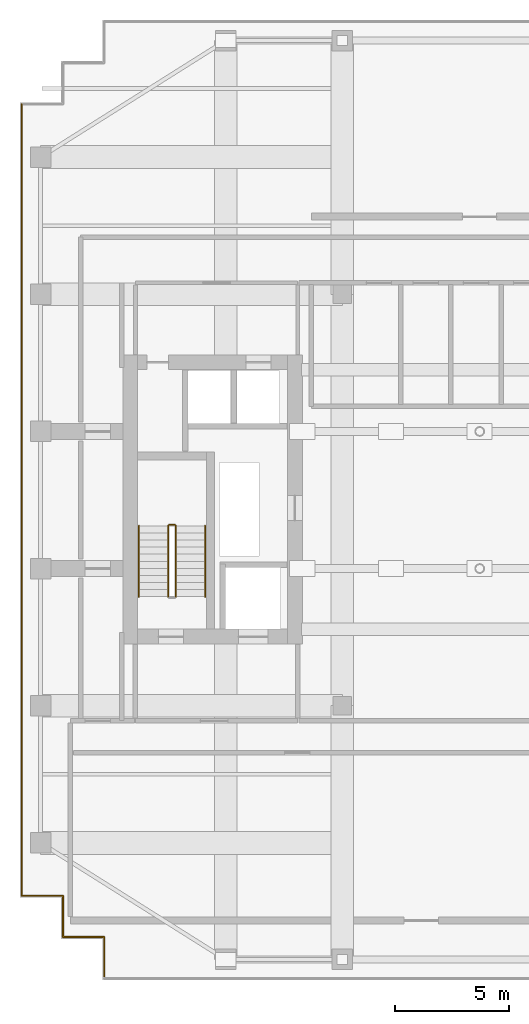
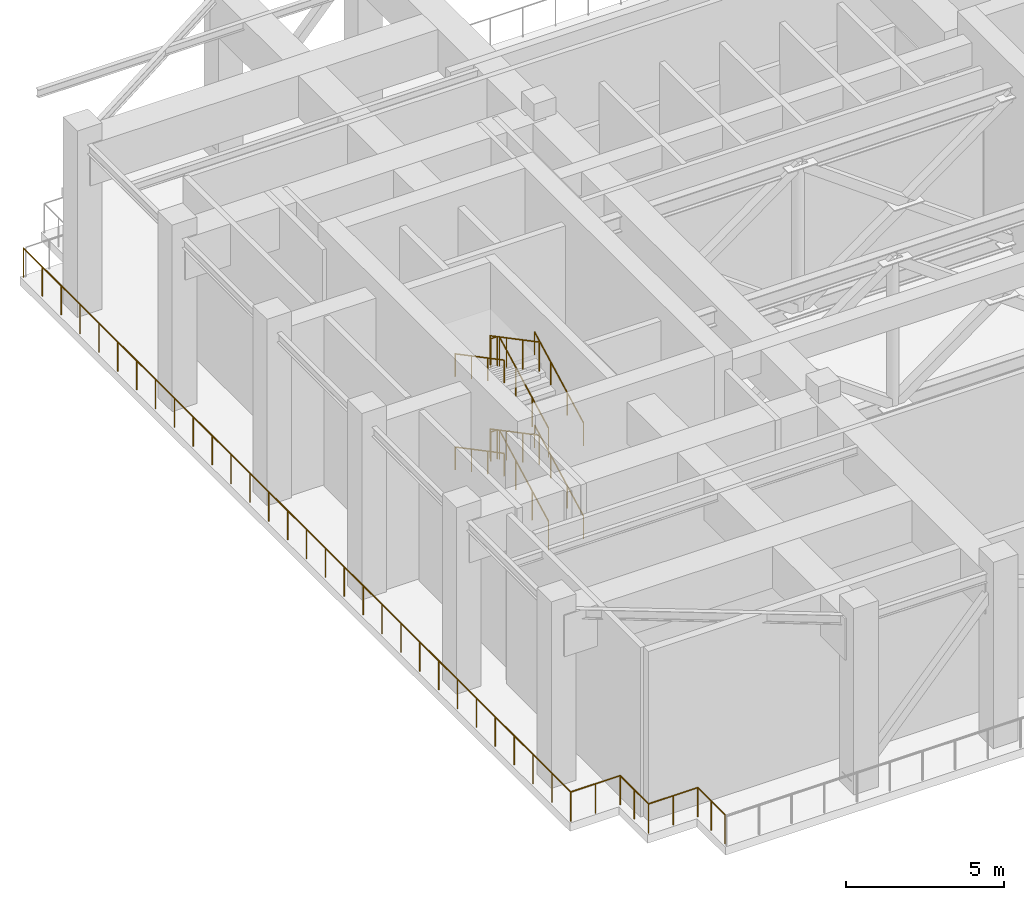
# One storey, part 7 of 9: 11 railings.
"""IFC4 building model written with IfcOpenShell, lengths in metres."""

from ifc_helpers import new_model, si_unit, direction, frame, origin, origin_2d, place, context, subcontext, project, spatial, circle, extrude, material, type_object, element, save


model = new_model("IFC4")

# Units and contexts
model_context = context("Model", 3, precision=1e-05, world=origin(), true_north=direction((0.0, 1.0)))
body_context = subcontext(model_context, "Body", "Model", "MODEL_VIEW")
ifc_project = project(units=[si_unit("LENGTHUNIT", "METRE"), si_unit("AREAUNIT", "SQUARE_METRE"), si_unit("VOLUMEUNIT", "CUBIC_METRE"), si_unit("PLANEANGLEUNIT", "RADIAN"), si_unit("MASSUNIT", "GRAM", prefix="KILO")], contexts=[model_context])

# Site, building, storey
site_placement = place(None, origin())
site = spatial("IfcSite", under=ifc_project, at=site_placement, CompositionType="ELEMENT")
building_placement = place(site_placement, origin())
building = spatial("IfcBuilding", under=site, at=building_placement, Name="Khoralis Quay Care Tower", CompositionType="ELEMENT")
storey_placement = place(building_placement, frame((0.0, 0.0, 220.5)))
storey = spatial("IfcBuildingStorey", under=building, at=storey_placement, Name="L58", CompositionType="ELEMENT", Elevation=220.5)

# Railings
ifc_material_1 = material(Name="Pale anodised aluminium", Category="aluminium")
railing_type_1 = type_object("IfcRailingType", Name="RL-BALUST-1150", PredefinedType="BALUSTRADE", material=ifc_material_1)
railing_1_placement = place(storey_placement, frame((3.080078125, 38.320068359375, 0.0)))
element("IfcRailing", 1, at=railing_1_placement, inside=storey, type_object=railing_type_1, Name="L58 Open Wind-Slot Portal Perimeter Guard 1.4", PredefinedType="BALUSTRADE", context=body_context, shape_type="SweptSolid", body=[
    extrude(circle(Radius=0.02392578125, at=origin_2d()), frame((0.0, 0.0, 1.1259765625), z_axis=(0.0, -1.0, 0.0), x_axis=(1.0, 0.0, 0.0)), (0.0, 0.0, 1.0), 34.64013671875),
    extrude(circle(Radius=0.02392578125, at=origin_2d()), frame((0.0, -34.64013671875, 1.1259765625), z_axis=(1.0, 0.0, 0.0), x_axis=(0.0, 1.0, 0.0)), (0.0, 0.0, 1.0), 1.7998046875),
    extrude(circle(Radius=0.02392578125, at=origin_2d()), frame((1.7998046875, -34.64013671875, 1.1259765625), z_axis=(0.0, -1.0, 0.0), x_axis=(1.0, 0.0, 0.0)), (0.0, 0.0, 1.0), 1.800048828125),
    extrude(circle(Radius=0.02392578125, at=origin_2d()), frame((1.7998046875, -36.440185546875, 1.1259765625), z_axis=(1.0, 0.0, 0.0), x_axis=(0.0, 1.0, 0.0)), (0.0, 0.0, 1.0), 1.800048828125),
    extrude(circle(Radius=0.02392578125, at=origin_2d()), frame((3.599853515625, -36.440185546875, 1.1259765625), z_axis=(0.0, -1.0, 0.0), x_axis=(1.0, 0.0, 0.0)), (0.0, 0.0, 1.0), 1.719970703125),
    extrude(circle(Radius=0.02099609375, at=origin_2d()), origin(), (0.0, 0.0, 1.0), 1.101806640625),
    extrude(circle(Radius=0.02099609375, at=origin_2d()), frame((0.0, -1.194580078125, 0.0)), (0.0, 0.0, 1.0), 1.101806640625),
    extrude(circle(Radius=0.02099609375, at=origin_2d()), frame((0.0, -2.388916015625, 0.0)), (0.0, 0.0, 1.0), 1.101806640625),
    extrude(circle(Radius=0.02099609375, at=origin_2d()), frame((0.0, -3.58349609375, 0.0)), (0.0, 0.0, 1.0), 1.101806640625),
    extrude(circle(Radius=0.02099609375, at=origin_2d()), frame((0.0, -4.77783203125, 0.0)), (0.0, 0.0, 1.0), 1.101806640625),
    extrude(circle(Radius=0.02099609375, at=origin_2d()), frame((0.0, -5.972412109375, 0.0)), (0.0, 0.0, 1.0), 1.101806640625),
    extrude(circle(Radius=0.02099609375, at=origin_2d()), frame((0.0, -7.1669921875, 0.0)), (0.0, 0.0, 1.0), 1.101806640625),
    extrude(circle(Radius=0.02099609375, at=origin_2d()), frame((0.0, -8.361328125, 0.0)), (0.0, 0.0, 1.0), 1.101806640625),
    extrude(circle(Radius=0.02099609375, at=origin_2d()), frame((0.0, -9.555908203125, 0.0)), (0.0, 0.0, 1.0), 1.101806640625),
    extrude(circle(Radius=0.02099609375, at=origin_2d()), frame((0.0, -10.75048828125, 0.0)), (0.0, 0.0, 1.0), 1.101806640625),
    extrude(circle(Radius=0.02099609375, at=origin_2d()), frame((0.0, -11.94482421875, 0.0)), (0.0, 0.0, 1.0), 1.101806640625),
    extrude(circle(Radius=0.02099609375, at=origin_2d()), frame((0.0, -13.139404296875, 0.0)), (0.0, 0.0, 1.0), 1.101806640625),
    extrude(circle(Radius=0.02099609375, at=origin_2d()), frame((0.0, -14.333740234375, 0.0)), (0.0, 0.0, 1.0), 1.101806640625),
    extrude(circle(Radius=0.02099609375, at=origin_2d()), frame((0.0, -15.5283203125, 0.0)), (0.0, 0.0, 1.0), 1.101806640625),
    extrude(circle(Radius=0.02099609375, at=origin_2d()), frame((0.0, -16.722900390625, 0.0)), (0.0, 0.0, 1.0), 1.101806640625),
    extrude(circle(Radius=0.02099609375, at=origin_2d()), frame((0.0, -17.917236328125, 0.0)), (0.0, 0.0, 1.0), 1.101806640625),
    extrude(circle(Radius=0.02099609375, at=origin_2d()), frame((0.0, -19.11181640625, 0.0)), (0.0, 0.0, 1.0), 1.101806640625),
    extrude(circle(Radius=0.02099609375, at=origin_2d()), frame((0.0, -20.306396484375, 0.0)), (0.0, 0.0, 1.0), 1.101806640625),
    extrude(circle(Radius=0.02099609375, at=origin_2d()), frame((0.0, -21.500732421875, 0.0)), (0.0, 0.0, 1.0), 1.101806640625),
    extrude(circle(Radius=0.02099609375, at=origin_2d()), frame((0.0, -22.6953125, 0.0)), (0.0, 0.0, 1.0), 1.101806640625),
    extrude(circle(Radius=0.02099609375, at=origin_2d()), frame((0.0, -23.8896484375, 0.0)), (0.0, 0.0, 1.0), 1.101806640625),
    extrude(circle(Radius=0.02099609375, at=origin_2d()), frame((0.0, -25.084228515625, 0.0)), (0.0, 0.0, 1.0), 1.101806640625),
    extrude(circle(Radius=0.02099609375, at=origin_2d()), frame((0.0, -26.27880859375, 0.0)), (0.0, 0.0, 1.0), 1.101806640625),
    extrude(circle(Radius=0.02099609375, at=origin_2d()), frame((0.0, -27.47314453125, 0.0)), (0.0, 0.0, 1.0), 1.101806640625),
    extrude(circle(Radius=0.02099609375, at=origin_2d()), frame((0.0, -28.667724609375, 0.0)), (0.0, 0.0, 1.0), 1.101806640625),
    extrude(circle(Radius=0.02099609375, at=origin_2d()), frame((0.0, -29.8623046875, 0.0)), (0.0, 0.0, 1.0), 1.101806640625),
    extrude(circle(Radius=0.02099609375, at=origin_2d()), frame((0.0, -31.056640625, 0.0)), (0.0, 0.0, 1.0), 1.101806640625),
    extrude(circle(Radius=0.02099609375, at=origin_2d()), frame((0.0, -32.251220703125, 0.0)), (0.0, 0.0, 1.0), 1.101806640625),
    extrude(circle(Radius=0.02099609375, at=origin_2d()), frame((0.0, -33.445556640625, 0.0)), (0.0, 0.0, 1.0), 1.101806640625),
    extrude(circle(Radius=0.02099609375, at=origin_2d()), frame((0.0, -34.64013671875, 0.0)), (0.0, 0.0, 1.0), 1.101806640625),
    extrude(circle(Radius=0.02099609375, at=origin_2d()), frame((0.89990234375, -34.64013671875, 0.0)), (0.0, 0.0, 1.0), 1.101806640625),
    extrude(circle(Radius=0.02099609375, at=origin_2d()), frame((1.7998046875, -34.64013671875, 0.0)), (0.0, 0.0, 1.0), 1.101806640625),
    extrude(circle(Radius=0.02099609375, at=origin_2d()), frame((1.7998046875, -35.5400390625, 0.0)), (0.0, 0.0, 1.0), 1.101806640625),
    extrude(circle(Radius=0.02099609375, at=origin_2d()), frame((1.7998046875, -36.440185546875, 0.0)), (0.0, 0.0, 1.0), 1.101806640625),
    extrude(circle(Radius=0.02099609375, at=origin_2d()), frame((2.69970703125, -36.440185546875, 0.0)), (0.0, 0.0, 1.0), 1.101806640625),
    extrude(circle(Radius=0.02099609375, at=origin_2d()), frame((3.599853515625, -36.440185546875, 0.0)), (0.0, 0.0, 1.0), 1.101806640625),
    extrude(circle(Radius=0.02099609375, at=origin_2d()), frame((3.599853515625, -37.30029296875, 0.0)), (0.0, 0.0, 1.0), 1.101806640625),
    extrude(circle(Radius=0.02099609375, at=origin_2d()), frame((3.599853515625, -38.16015625, 0.0)), (0.0, 0.0, 1.0), 1.101806640625),
])
ifc_material_2 = material(Name="Brushed stainless steel", Category="steel")
railing_type_2 = type_object("IfcRailingType", Name="RL-GUARD-1150", PredefinedType="GUARDRAIL", material=ifc_material_2)
railing_2_placement = place(storey_placement, frame((9.820068359375, 16.77001953125, 0.16357421875)))
element("IfcRailing", 2, at=railing_2_placement, inside=storey, type_object=railing_type_2, Name="L58 ST-T1 stair guard 1", PredefinedType="GUARDRAIL", context=body_context, shape_type="SweptSolid", body=[
    extrude(circle(Radius=0.02392578125, at=origin_2d()), frame((0.0, 0.0, 1.1259765625), z_axis=(0.0, 0.884348015382, 0.466828220752), x_axis=(-1.0, 0.0, 0.0)), (0.0, 0.0, 1.0), 3.505615234375),
    extrude(circle(Radius=0.02099609375, at=origin_2d()), origin(), (0.0, 0.0, 1.0), 1.101806640625),
    extrude(circle(Radius=0.02099609375, at=origin_2d()), frame((0.0, 1.033447265625, 0.54541015625)), (0.0, 0.0, 1.0), 1.101806640625),
    extrude(circle(Radius=0.02099609375, at=origin_2d()), frame((0.0, 2.066650390625, 1.091064453125)), (0.0, 0.0, 1.0), 1.101806640625),
    extrude(circle(Radius=0.02099609375, at=origin_2d()), frame((0.0, 3.10009765625, 1.636474609375)), (0.0, 0.0, 1.0), 1.101806640625),
])
railing_3_placement = place(storey_placement, frame((9.77001953125, 19.919921875, 1.800048828125)))
element("IfcRailing", 3, at=railing_3_placement, inside=storey, type_object=railing_type_2, Name="L58 ST-T1 stair guard 2", PredefinedType="GUARDRAIL", context=body_context, shape_type="SweptSolid", body=[
    extrude(circle(Radius=0.02392578125, at=origin_2d()), frame((0.0, 0.0, 1.1259765625), z_axis=(-1.0, 0.0, 0.0), x_axis=(0.0, -1.0, 0.0)), (0.0, 0.0, 1.0), 0.239990234375),
    extrude(circle(Radius=0.02099609375, at=origin_2d()), origin(), (0.0, 0.0, 1.0), 1.101806640625),
    extrude(circle(Radius=0.02099609375, at=origin_2d()), frame((-0.239990234375, 0.0, 0.0)), (0.0, 0.0, 1.0), 1.101806640625),
])
railing_4_placement = place(storey_placement, frame((9.47998046875, 19.8701171875, 1.963623046875)))
element("IfcRailing", 4, at=railing_4_placement, inside=storey, type_object=railing_type_2, Name="L58 ST-T1 stair guard 3", PredefinedType="GUARDRAIL", context=body_context, shape_type="SweptSolid", body=[
    extrude(circle(Radius=0.02392578125, at=origin_2d()), frame((0.0, 0.0, 1.1259765625), z_axis=(0.0, -0.884348015382, 0.466828220752), x_axis=(1.0, 0.0, 0.0)), (0.0, 0.0, 1.0), 3.505615234375),
    extrude(circle(Radius=0.02099609375, at=origin_2d()), origin(), (0.0, 0.0, 1.0), 1.101806640625),
    extrude(circle(Radius=0.02099609375, at=origin_2d()), frame((0.0, -1.033447265625, 0.54541015625)), (0.0, 0.0, 1.0), 1.101806640625),
    extrude(circle(Radius=0.02099609375, at=origin_2d()), frame((0.0, -2.066650390625, 1.091064453125)), (0.0, 0.0, 1.0), 1.101806640625),
    extrude(circle(Radius=0.02099609375, at=origin_2d()), frame((0.0, -3.10009765625, 1.636474609375)), (0.0, 0.0, 1.0), 1.101806640625),
])
railing_5_placement = place(storey_placement, frame((9.820068359375, 16.77001953125, 3.763671875)))
element("IfcRailing", 5, at=railing_5_placement, inside=storey, type_object=railing_type_2, Name="L58 ST-T1 stair guard 5", PredefinedType="GUARDRAIL", context=body_context, shape_type="SweptSolid", body=[
    extrude(circle(Radius=0.02392578125, at=origin_2d()), frame((0.0, 0.0, 1.1259765625), z_axis=(0.0, 0.884376766648, 0.46677375099), x_axis=(-1.0, 0.0, 0.0)), (0.0, 0.0, 1.0), 3.50537109375),
    extrude(circle(Radius=0.02099609375, at=origin_2d()), origin(), (0.0, 0.0, 1.0), 1.101806640625),
    extrude(circle(Radius=0.02099609375, at=origin_2d()), frame((0.0, 1.033447265625, 0.54541015625)), (0.0, 0.0, 1.0), 1.101806640625),
    extrude(circle(Radius=0.02099609375, at=origin_2d()), frame((0.0, 2.066650390625, 1.0908203125)), (0.0, 0.0, 1.0), 1.101806640625),
    extrude(circle(Radius=0.02099609375, at=origin_2d()), frame((0.0, 3.10009765625, 1.63623046875)), (0.0, 0.0, 1.0), 1.101806640625),
])
railing_6_placement = place(storey_placement, frame((9.77001953125, 19.919921875, 5.39990234375)))
element("IfcRailing", 6, at=railing_6_placement, inside=storey, type_object=railing_type_2, Name="L58 ST-T1 stair guard 6", PredefinedType="GUARDRAIL", context=body_context, shape_type="SweptSolid", body=[
    extrude(circle(Radius=0.02392578125, at=origin_2d()), frame((0.0, 0.0, 1.1259765625), z_axis=(-1.0, 0.0, 0.0), x_axis=(0.0, -1.0, 0.0)), (0.0, 0.0, 1.0), 0.239990234375),
    extrude(circle(Radius=0.02099609375, at=origin_2d()), origin(), (0.0, 0.0, 1.0), 1.101806640625),
    extrude(circle(Radius=0.02099609375, at=origin_2d()), frame((-0.239990234375, 0.0, 0.0)), (0.0, 0.0, 1.0), 1.101806640625),
])
railing_7_placement = place(storey_placement, frame((9.47998046875, 19.8701171875, 5.563720703125)))
element("IfcRailing", 7, at=railing_7_placement, inside=storey, type_object=railing_type_2, Name="L58 ST-T1 stair guard 7", PredefinedType="GUARDRAIL", context=body_context, shape_type="SweptSolid", body=[
    extrude(circle(Radius=0.02392578125, at=origin_2d()), frame((0.0, 0.0, 1.1259765625), z_axis=(0.0, -0.884376766648, 0.46677375099), x_axis=(1.0, 0.0, 0.0)), (0.0, 0.0, 1.0), 3.50537109375),
    extrude(circle(Radius=0.02099609375, at=origin_2d()), origin(), (0.0, 0.0, 1.0), 1.101806640625),
    extrude(circle(Radius=0.02099609375, at=origin_2d()), frame((0.0, -1.033447265625, 0.54541015625)), (0.0, 0.0, 1.0), 1.101806640625),
    extrude(circle(Radius=0.02099609375, at=origin_2d()), frame((0.0, -2.066650390625, 1.0908203125)), (0.0, 0.0, 1.0), 1.101806640625),
    extrude(circle(Radius=0.02099609375, at=origin_2d()), frame((0.0, -3.10009765625, 1.63623046875)), (0.0, 0.0, 1.0), 1.101806640625),
])
railing_type_3 = type_object("IfcRailingType", Name="RL-HAND-900", PredefinedType="HANDRAIL", material=ifc_material_2)
railing_8_placement = place(storey_placement, frame((11.10009765625, 16.77001953125, 0.16357421875)))
element("IfcRailing", 8, at=railing_8_placement, inside=storey, type_object=railing_type_3, Name="L58 ST-T1 stair handrail 1", PredefinedType="HANDRAIL", context=body_context, shape_type="SweptSolid", body=[
    extrude(circle(Radius=0.02392578125, at=origin_2d()), frame((0.0, 0.0, 0.8759765625), z_axis=(0.0, 0.884348015382, 0.466828220752), x_axis=(-1.0, 0.0, 0.0)), (0.0, 0.0, 1.0), 3.505615234375),
    extrude(circle(Radius=0.02099609375, at=origin_2d()), origin(), (0.0, 0.0, 1.0), 0.851806640625),
    extrude(circle(Radius=0.02099609375, at=origin_2d()), frame((0.0, 1.033447265625, 0.54541015625)), (0.0, 0.0, 1.0), 0.851806640625),
    extrude(circle(Radius=0.02099609375, at=origin_2d()), frame((0.0, 2.066650390625, 1.091064453125)), (0.0, 0.0, 1.0), 0.851806640625),
    extrude(circle(Radius=0.02099609375, at=origin_2d()), frame((0.0, 3.10009765625, 1.636474609375)), (0.0, 0.0, 1.0), 0.851806640625),
])
railing_9_placement = place(storey_placement, frame((8.199951171875, 19.8701171875, 1.963623046875)))
element("IfcRailing", 9, at=railing_9_placement, inside=storey, type_object=railing_type_3, Name="L58 ST-T1 stair handrail 2", PredefinedType="HANDRAIL", context=body_context, shape_type="SweptSolid", body=[
    extrude(circle(Radius=0.02392578125, at=origin_2d()), frame((0.0, 0.0, 0.8759765625), z_axis=(0.0, -0.884348015382, 0.466828220752), x_axis=(1.0, 0.0, 0.0)), (0.0, 0.0, 1.0), 3.505615234375),
    extrude(circle(Radius=0.02099609375, at=origin_2d()), origin(), (0.0, 0.0, 1.0), 0.851806640625),
    extrude(circle(Radius=0.02099609375, at=origin_2d()), frame((0.0, -1.033447265625, 0.54541015625)), (0.0, 0.0, 1.0), 0.851806640625),
    extrude(circle(Radius=0.02099609375, at=origin_2d()), frame((0.0, -2.066650390625, 1.091064453125)), (0.0, 0.0, 1.0), 0.851806640625),
    extrude(circle(Radius=0.02099609375, at=origin_2d()), frame((0.0, -3.10009765625, 1.636474609375)), (0.0, 0.0, 1.0), 0.851806640625),
])
railing_10_placement = place(storey_placement, frame((11.10009765625, 16.77001953125, 3.763671875)))
element("IfcRailing", 10, at=railing_10_placement, inside=storey, type_object=railing_type_3, Name="L58 ST-T1 stair handrail 3", PredefinedType="HANDRAIL", context=body_context, shape_type="SweptSolid", body=[
    extrude(circle(Radius=0.02392578125, at=origin_2d()), frame((0.0, 0.0, 0.8759765625), z_axis=(0.0, 0.884376766648, 0.46677375099), x_axis=(-1.0, 0.0, 0.0)), (0.0, 0.0, 1.0), 3.50537109375),
    extrude(circle(Radius=0.02099609375, at=origin_2d()), origin(), (0.0, 0.0, 1.0), 0.851806640625),
    extrude(circle(Radius=0.02099609375, at=origin_2d()), frame((0.0, 1.033447265625, 0.54541015625)), (0.0, 0.0, 1.0), 0.851806640625),
    extrude(circle(Radius=0.02099609375, at=origin_2d()), frame((0.0, 2.066650390625, 1.0908203125)), (0.0, 0.0, 1.0), 0.851806640625),
    extrude(circle(Radius=0.02099609375, at=origin_2d()), frame((0.0, 3.10009765625, 1.63623046875)), (0.0, 0.0, 1.0), 0.851806640625),
])
railing_11_placement = place(storey_placement, frame((8.199951171875, 19.8701171875, 5.563720703125)))
element("IfcRailing", 11, at=railing_11_placement, inside=storey, type_object=railing_type_3, Name="L58 ST-T1 stair handrail 4", PredefinedType="HANDRAIL", context=body_context, shape_type="SweptSolid", body=[
    extrude(circle(Radius=0.02392578125, at=origin_2d()), frame((0.0, 0.0, 0.8759765625), z_axis=(0.0, -0.884376766648, 0.46677375099), x_axis=(1.0, 0.0, 0.0)), (0.0, 0.0, 1.0), 3.50537109375),
    extrude(circle(Radius=0.02099609375, at=origin_2d()), origin(), (0.0, 0.0, 1.0), 0.851806640625),
    extrude(circle(Radius=0.02099609375, at=origin_2d()), frame((0.0, -1.033447265625, 0.54541015625)), (0.0, 0.0, 1.0), 0.851806640625),
    extrude(circle(Radius=0.02099609375, at=origin_2d()), frame((0.0, -2.066650390625, 1.0908203125)), (0.0, 0.0, 1.0), 0.851806640625),
    extrude(circle(Radius=0.02099609375, at=origin_2d()), frame((0.0, -3.10009765625, 1.63623046875)), (0.0, 0.0, 1.0), 0.851806640625),
])

save(model, "model.ifc")
